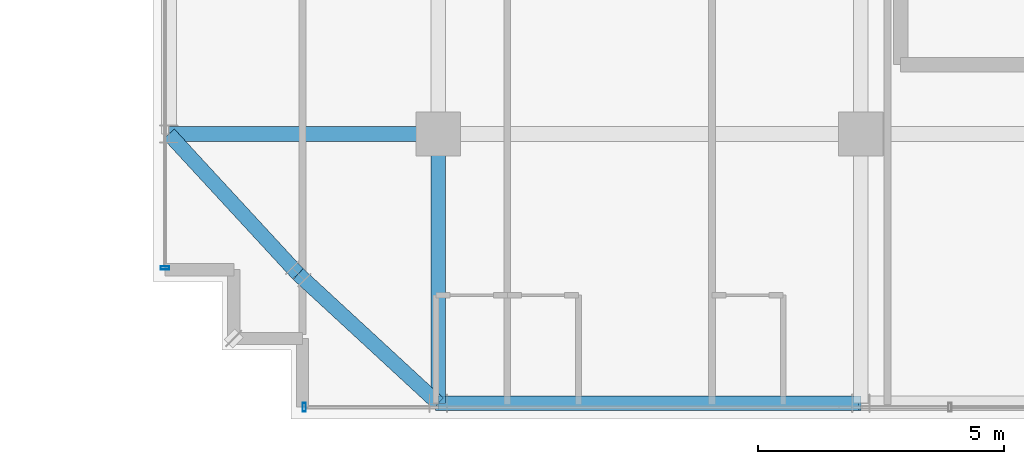
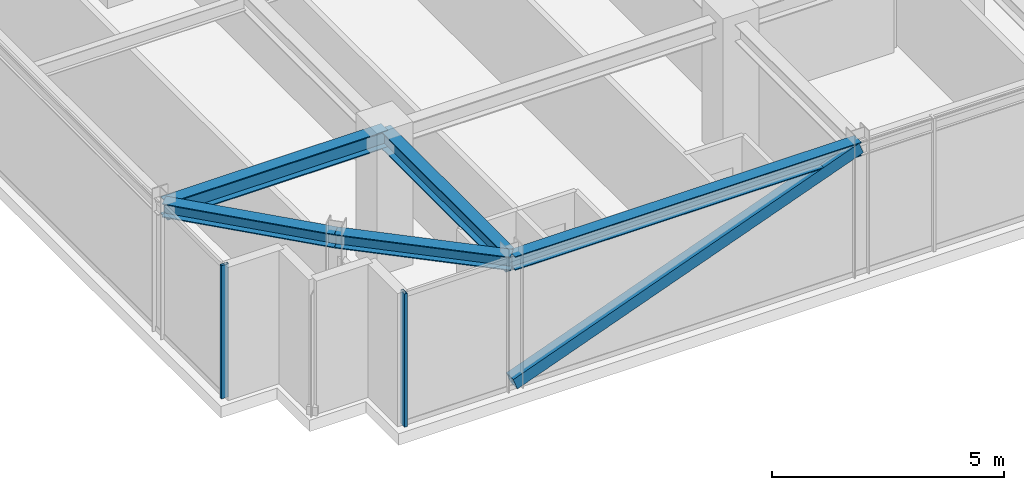
# One storey, part 4 of 36: 5 beams, 3 members, 2 elements without a shape of their own.
"""IFC4 building model written with IfcOpenShell, lengths in metres."""

import ifcopenshell
import ifcopenshell.guid

model = None  # the IFC model being written
_history = None  # IfcOwnerHistory: only IFC2X3 demands one
_inside = {}  # id of a spatial element -> (the spatial element, [elements in it])
_under = {}  # id of a project, library or spatial element -> (it, [spatial elements below it])
_declared = {}  # id of a project -> (the project, [libraries it declares])
_typed = {}  # id of a type object -> (the type object, [elements of that type])
_made_of = {}  # id of a material, layer set ... -> (it, [elements and type objects made of it])


def new_model(schema):
    """Start an empty IFC model of exactly this schema.

    Asked for "IFC4X3", IfcOpenShell would pick the latest addendum, in which some entities
    have other attributes; the version numbers below select the first issue.
    IFC2X3 requires an IfcOwnerHistory on every rooted entity: one is made here for all.
    """
    global model, _history
    if schema == "IFC4X3":
        model = ifcopenshell.file(schema_version=(4, 3, 0, 0))
    else:
        model = ifcopenshell.file(schema=schema)
    _inside.clear()
    _under.clear()
    _declared.clear()
    _typed.clear()
    _made_of.clear()
    _history = None
    if model.schema == "IFC2X3":
        org = make("IfcOrganization", Name="unknown")
        user = make(
            "IfcPersonAndOrganization",
            ThePerson=make("IfcPerson", FamilyName="unknown"),
            TheOrganization=org,
        )
        app = make(
            "IfcApplication",
            ApplicationDeveloper=org,
            Version="unknown",
            ApplicationFullName="unknown",
            ApplicationIdentifier="unknown",
        )
        _history = make(
            "IfcOwnerHistory",
            OwningUser=user,
            OwningApplication=app,
            ChangeAction="ADDED",
            CreationDate=0,
        )
    return model


def make(cls, **values):
    """One entity of the class cls with the attributes given. An attribute that is None is left unset."""
    return model.create_entity(
        cls, **{name: value for name, value in values.items() if value is not None}
    )


def rooted(cls, **values):
    """An entity with a GlobalId (a new one), such as an element, a storey or a relation."""
    return make(cls, GlobalId=ifcopenshell.guid.new(), OwnerHistory=_history, **values)


def si_unit(unit_type, name, prefix=None):
    """IfcSIUnit, for example si_unit("LENGTHUNIT", "METRE", prefix="MILLI")."""
    return make("IfcSIUnit", UnitType=unit_type, Prefix=prefix, Name=name)


def assignment(units):
    """IfcUnitAssignment: the units of a project."""
    return None if units is None else make("IfcUnitAssignment", Units=units)


def point(xyz):
    """IfcCartesianPoint."""
    return None if xyz is None else make("IfcCartesianPoint", Coordinates=xyz)


def direction(xyz):
    """IfcDirection."""
    return None if xyz is None else make("IfcDirection", DirectionRatios=xyz)


def frame(location, z_axis=None, x_axis=None):
    """IfcAxis2Placement3D, a coordinate frame: its origin and axes. An axis left out is left unset."""
    return make(
        "IfcAxis2Placement3D",
        Location=point(location),
        Axis=direction(z_axis),
        RefDirection=direction(x_axis),
    )


def frame_2d(location, x_axis=None):
    """IfcAxis2Placement2D, a coordinate frame in the plane: its origin and x axis."""
    return make(
        "IfcAxis2Placement2D", Location=point(location), RefDirection=direction(x_axis)
    )


def origin():
    """The frame at (0, 0, 0) with its axes left unset."""
    return frame((0.0, 0.0, 0.0))


def origin_2d():
    """The frame at (0, 0) in the plane with its x axis left unset."""
    return frame_2d((0.0, 0.0))


def place(relative_to, where):
    """IfcLocalPlacement: puts the frame where relative to a parent placement (None: the world)."""
    return make(
        "IfcLocalPlacement", PlacementRelTo=relative_to, RelativePlacement=where
    )


def context(
    kind, dimensions, precision=None, world=None, true_north=None, identifier=None
):
    """IfcGeometricRepresentationContext, for example the 3D "Model" context."""
    return make(
        "IfcGeometricRepresentationContext",
        ContextIdentifier=identifier,
        ContextType=kind,
        CoordinateSpaceDimension=dimensions,
        Precision=precision,
        WorldCoordinateSystem=world,
        TrueNorth=true_north,
    )


def subcontext(parent, identifier, kind, view, scale=None):
    """IfcGeometricRepresentationSubContext, for example "Body" below "Model"."""
    return make(
        "IfcGeometricRepresentationSubContext",
        ContextIdentifier=identifier,
        ContextType=kind,
        ParentContext=parent,
        TargetScale=scale,
        TargetView=view,
    )


def project(units=None, contexts=None):
    """IfcProject with its units and contexts."""
    return rooted(
        "IfcProject",
        Name="project",
        RepresentationContexts=contexts,
        UnitsInContext=assignment(units),
    )


def spatial(cls, under=None, at=None, **own):
    """A site, building, storey or space (cls), placed at a placement, below another one or the project."""
    s = rooted(cls, ObjectPlacement=at, **own)
    if under is not None:
        _under.setdefault(under.id(), (under, []))[1].append(s)
    return s


def profile(cls, at=None, kind="AREA", **sizes):
    """A parametric profile (cls). Its sizes go by their IFC names, for example OverallWidth=200.0."""
    return make(cls, ProfileType=kind, Position=at, **sizes)


def hollow_rectangle(**sizes):
    """IfcRectangleHollowProfileDef."""
    return profile("IfcRectangleHollowProfileDef", **sizes)


def i_section(**sizes):
    """IfcIShapeProfileDef."""
    return profile("IfcIShapeProfileDef", **sizes)


def extrude(swept, where, along, depth):
    """IfcExtrudedAreaSolid: the profile swept, set in the frame where, extruded along a direction by depth."""
    return make(
        "IfcExtrudedAreaSolid",
        SweptArea=swept,
        Position=where,
        ExtrudedDirection=direction(along),
        Depth=depth,
    )


def shape(context_of_items, identifier, shape_type, items):
    """IfcShapeRepresentation: the items that make up one representation, for example the "Body"."""
    return make(
        "IfcShapeRepresentation",
        ContextOfItems=context_of_items,
        RepresentationIdentifier=identifier,
        RepresentationType=shape_type,
        Items=items,
    )


def source(mapping_origin, context_of_items, identifier, shape_type, items):
    """IfcRepresentationMap: a shape defined once, which mapped items show again and again."""
    return make(
        "IfcRepresentationMap",
        MappingOrigin=mapping_origin,
        MappedRepresentation=shape(context_of_items, identifier, shape_type, items),
    )


def transform(
    local_origin,
    x_axis=None,
    y_axis=None,
    z_axis=None,
    scale=None,
    scale2=None,
    scale3=None,
    uniform=True,
):
    """IfcCartesianTransformationOperator3D, or its non-uniform kind. x_axis, y_axis, z_axis: its Axis1, 2, 3."""
    if uniform:
        return make(
            "IfcCartesianTransformationOperator3D",
            Axis1=direction(x_axis),
            Axis2=direction(y_axis),
            LocalOrigin=point(local_origin),
            Scale=scale,
            Axis3=direction(z_axis),
        )
    return make(
        "IfcCartesianTransformationOperator3DnonUniform",
        Axis1=direction(x_axis),
        Axis2=direction(y_axis),
        LocalOrigin=point(local_origin),
        Scale=scale,
        Axis3=direction(z_axis),
        Scale2=scale2,
        Scale3=scale3,
    )


def mapped(mapping_source, mapping_target):
    """IfcMappedItem: shows the shape of a source again, moved by a transform."""
    return make(
        "IfcMappedItem", MappingSource=mapping_source, MappingTarget=mapping_target
    )


def material(Name=None, Category=None):
    """IfcMaterial."""
    return make("IfcMaterial", Name=Name, Category=Category)


def material_profile(
    of_material, cross_section, Name=None, Category=None, Priority=None
):
    """IfcMaterialProfile: a cross section and its material."""
    return make(
        "IfcMaterialProfile",
        Name=Name,
        Material=of_material,
        Profile=cross_section,
        Priority=Priority,
        Category=Category,
    )


def profile_set(profiles, Name=None, composite=None):
    """IfcMaterialProfileSet."""
    return make(
        "IfcMaterialProfileSet",
        Name=Name,
        MaterialProfiles=profiles,
        CompositeProfile=composite,
    )


def made_of(thing, what):
    """Note that an element or type object is made of a material, layer set ...; save() writes the relation."""
    if what is not None:
        _made_of.setdefault(what.id(), (what, []))[1].append(thing)
    return thing


def type_object(cls, material=None, **own):
    """A type object (cls), such as IfcWallType, which elements share."""
    return made_of(rooted(cls, **own), material)


def element(
    cls,
    number,
    at=None,
    inside=None,
    cuts=None,
    type_object=None,
    material=None,
    context=None,
    identifier="Body",
    shape_type=None,
    held_by="IfcProductDefinitionShape",
    body=None,
    shapes=None,
    **own,
):
    """One element of the class cls, such as IfcWall. Its Tag is "e" and its number.

    at: its placement. inside: the storey or other place that contains it. cuts: it is an
    opening in that element (IfcRelVoidsElement). A single representation is given by context,
    identifier, shape_type and body (its items); several are given by shapes. held_by: the class
    of the entity that holds the representations. save() writes the other relations.
    """
    e = rooted(cls, Tag="e%d" % number, ObjectPlacement=at, **own)
    if body is not None:
        shapes = [shape(context, identifier, shape_type, body)]
    if shapes is not None:
        e.Representation = make(held_by, Representations=shapes)
    if inside is not None:
        _inside.setdefault(inside.id(), (inside, []))[1].append(e)
    if cuts is not None:
        rooted(
            "IfcRelVoidsElement", RelatingBuildingElement=cuts, RelatedOpeningElement=e
        )
    if type_object is not None:
        _typed.setdefault(type_object.id(), (type_object, []))[1].append(e)
    return made_of(e, material)


def aggregate(whole, parts):
    """IfcRelAggregates: a whole, such as a stair, and the parts it consists of."""
    return rooted("IfcRelAggregates", RelatingObject=whole, RelatedObjects=parts)


def save(model, path):
    """Write the relations noted so far, then the file.

    IfcRelAggregates (storeys below a building ...), IfcRelContainedInSpatialStructure (elements
    in a storey), IfcRelDefinesByType, IfcRelAssociatesMaterial and IfcRelDeclares: one each for
    every whole, place, type object, material and project.
    """
    for whole, parts in _under.values():
        aggregate(whole, parts)
    for where, things in _inside.values():
        rooted(
            "IfcRelContainedInSpatialStructure",
            RelatedElements=things,
            RelatingStructure=where,
        )
    for kind, things in _typed.values():
        rooted("IfcRelDefinesByType", RelatedObjects=things, RelatingType=kind)
    for what, things in _made_of.values():
        rooted("IfcRelAssociatesMaterial", RelatedObjects=things, RelatingMaterial=what)
    for by, libraries in _declared.values():
        rooted("IfcRelDeclares", RelatingContext=by, RelatedDefinitions=libraries)
    model.write(path)


model = new_model("IFC4")

# Units and contexts
model_context = context("Model", 3, precision=1e-05, world=origin(), true_north=direction((0.0, 1.0)))
body_context = subcontext(model_context, "Body", "Model", "MODEL_VIEW")
ifc_project = project(units=[si_unit("LENGTHUNIT", "METRE"), si_unit("AREAUNIT", "SQUARE_METRE"), si_unit("VOLUMEUNIT", "CUBIC_METRE"), si_unit("PLANEANGLEUNIT", "RADIAN"), si_unit("MASSUNIT", "GRAM", prefix="KILO")], contexts=[model_context])

# Site, building, storey
site_placement = place(None, origin())
site = spatial("IfcSite", under=ifc_project, at=site_placement, CompositionType="ELEMENT")
building_placement = place(site_placement, origin())
building = spatial("IfcBuilding", under=site, at=building_placement, Name="Nahalor Promenade Grand Hotel", CompositionType="ELEMENT")
storey_placement = place(building_placement, frame((0.0, 0.0, 319.550048828125)))
storey = spatial("IfcBuildingStorey", under=building, at=storey_placement, Name="L82", CompositionType="ELEMENT", Elevation=319.550048828125)

# Beams
ifc_material_1 = material(Name="Steel S355JR", Category="steel")
ifc_material_profile_1 = material_profile(ifc_material_1, i_section(OverallWidth=0.3, OverallDepth=0.45, WebThickness=0.014, FlangeThickness=0.026, at=origin_2d()), Name="HEB 450")
ifc_profile_set_1 = profile_set([ifc_material_profile_1], Name="Steel S355JR")
beam_type_1 = type_object("IfcBeamType", Name="Beam-Girder-HEB450", PredefinedType="BEAM", material=ifc_profile_set_1)
shared_shape_1 = source(origin(), body_context, "Body", "SweptSolid", [
    extrude(i_section(OverallWidth=0.3, OverallDepth=0.45, WebThickness=0.014, FlangeThickness=0.026, at=origin_2d()), origin(), (0.0, 0.0, 1.0), 5.47998046875),
])
for number, where, z_axis, x_axis, name in (
    (1, (-22.47998046875, -17.0, 3.27490234375), (1.0, 0.0, 0.0), (0.0, 1.0, 0.0), "BM-L82-GX-0-0"),
    (2, (-17.0, -22.47998046875, 3.27490234375), (0.0, 1.0, 0.0), (-1.0, 0.0, 0.0), "BM-L82-GY-0-0"),
):
    element("IfcBeam", number, at=place(storey_placement, frame(where, z_axis=z_axis, x_axis=x_axis)), inside=storey, type_object=beam_type_1, Name=name, PredefinedType="BEAM", context=body_context, shape_type="MappedRepresentation", body=[
        mapped(shared_shape_1, transform((0.0, 0.0, 0.0), scale=1.0)),
    ])
ifc_material_profile_2 = material_profile(ifc_material_1, i_section(OverallWidth=0.3, OverallDepth=0.36, WebThickness=0.0125, FlangeThickness=0.0225, at=origin_2d()), Name="HEB 360")
ifc_profile_set_2 = profile_set([ifc_material_profile_2], Name="Steel S355JR")
beam_type_2 = type_object("IfcBeamType", Name="Beam-Spandrel-HEB360", PredefinedType="SPANDREL", material=ifc_profile_set_2)
shared_shape_2 = source(origin(), body_context, "Body", "SweptSolid", [
    extrude(i_section(OverallWidth=0.3, OverallDepth=0.36, WebThickness=0.0125, FlangeThickness=0.0225, at=origin_2d()), origin(), (0.0, 0.0, 1.0), 8.60009765625),
])
beam_placement = place(storey_placement, frame((-17.0, -22.47998046875, 3.320068359375), z_axis=(1.0, 0.0, 0.0), x_axis=(0.0, 1.0, 0.0)))
element("IfcBeam", 3, at=beam_placement, inside=storey, type_object=beam_type_2, Name="BM-L82-SP-S-0", PredefinedType="SPANDREL", context=body_context, shape_type="MappedRepresentation", body=[
    mapped(shared_shape_2, transform((0.0, 0.0, 0.0), scale=1.0)),
])
shared_shape_3 = source(origin(), body_context, "Body", "SweptSolid", [
    extrude(i_section(OverallWidth=0.3, OverallDepth=0.36, WebThickness=0.0125, FlangeThickness=0.0225, at=origin_2d()), origin(), (0.0, 0.0, 1.0), 3.878173828125),
])
for number, where, z_axis, x_axis, name in (
    (4, (-17.0, -22.47998046875, 3.320068359375), (-0.73492893846, 0.678144125843, 0.0), (-0.678144125843, -0.73492893846, 0.0), "BM-L82-SPC-SW-1"),
    (5, (-19.85009765625, -19.85009765625, 3.320068359375), (-0.678144125843, 0.73492893846, 0.0), (-0.73492893846, -0.678144125843, 0.0), "BM-L82-SPC-SW-2"),
):
    element("IfcBeam", number, at=place(storey_placement, frame(where, z_axis=z_axis, x_axis=x_axis)), inside=storey, type_object=beam_type_2, Name=name, PredefinedType="SPANDREL", context=body_context, shape_type="MappedRepresentation", body=[
        mapped(shared_shape_3, transform((0.0, 0.0, 0.0), scale=1.0)),
    ])

# Member
ifc_material_profile_3 = material_profile(ifc_material_1, hollow_rectangle(XDim=0.3, YDim=0.3, WallThickness=0.016, at=origin_2d()), Name="SHS 300x300x16")
ifc_profile_set_3 = profile_set([ifc_material_profile_3], Name="Steel S355JR")
member_type_1 = type_object("IfcMemberType", Name="Mem-CrownBrace-SHS300", PredefinedType="BRACE", material=ifc_profile_set_3)
shared_shape_4 = source(origin(), body_context, "Body", "SweptSolid", [
    extrude(hollow_rectangle(XDim=0.3, YDim=0.3, WallThickness=0.016, at=origin_2d()), origin(), (0.0, 0.0, 1.0), 9.176025390625),
])
member_1_placement = place(storey_placement, frame((-17.0, -22.47998046875, 0.14990234375), z_axis=(0.937224884492, 0.0, 0.348725559559), x_axis=(0.0, 1.0, 0.0)))
element("IfcMember", 6, at=member_1_placement, inside=storey, type_object=member_type_1, Name="EXO-L82-S-0", PredefinedType="BRACE", context=body_context, shape_type="MappedRepresentation", body=[
    mapped(shared_shape_4, transform((0.0, 0.0, 0.0), scale=1.0)),
])

# Curtain wall, member
ifc_material_2 = material(Name="Anodised Bronze Aluminium EN AW-6063 T6", Category="aluminium")
curtain_wall_type = type_object("IfcCurtainWallType", Name="CW2 Typical Hotel Flush Bronze Unitised Curtain Wall", PredefinedType="USERDEFINED", material=ifc_material_2)
curtain_wall_1_placement = place(storey_placement, origin())
curtain_wall_1 = element("IfcCurtainWall", 7, at=curtain_wall_1_placement, inside=storey, type_object=curtain_wall_type, Name="L82 Curtain Wall CW-L82-S-1", ObjectType="UNITISED_CURTAIN_WALL", PredefinedType="USERDEFINED")
ifc_material_profile_4 = material_profile(ifc_material_2, hollow_rectangle(XDim=0.065, YDim=0.18, WallThickness=0.004, at=origin_2d()), Name="CWM 65x180x4")
ifc_profile_set_4 = profile_set([ifc_material_profile_4], Name="Anodised Bronze Aluminium EN AW-6063 T6")
member_type_2 = type_object("IfcMemberType", Name="CWM2 Typical Bronze Mullion 65x180", PredefinedType="MULLION", material=ifc_profile_set_4)
shared_shape_5 = source(origin(), body_context, "Body", "SweptSolid", [
    extrude(hollow_rectangle(XDim=0.065, YDim=0.18, WallThickness=0.004, at=origin_2d()), origin(), (0.0, 0.0, 1.0), 3.5),
])
member_2_placement = place(storey_placement, frame((-19.7275390625, -22.56005859375, 0.0), z_axis=(0.0, 0.0, 1.0), x_axis=(1.0, 0.0, 0.0)))
member_2 = element("IfcMember", 8, at=member_2_placement, type_object=member_type_2, Name="CW-L82-S-1 Mullion 0", PredefinedType="MULLION", context=body_context, shape_type="MappedRepresentation", body=[
    mapped(shared_shape_5, transform((0.0, 0.0, 0.0), scale=1.0)),
])
aggregate(curtain_wall_1, [member_2])

curtain_wall_2_placement = place(storey_placement, origin())
curtain_wall_2 = element("IfcCurtainWall", 9, at=curtain_wall_2_placement, inside=storey, type_object=curtain_wall_type, Name="L82 Curtain Wall CW-L82-W-1", ObjectType="UNITISED_CURTAIN_WALL", PredefinedType="USERDEFINED")
member_3_placement = place(storey_placement, frame((-22.56005859375, -19.7275390625, 0.0), z_axis=(0.0, 0.0, 1.0), x_axis=(0.0, 1.0, 0.0)))
member_3 = element("IfcMember", 10, at=member_3_placement, type_object=member_type_2, Name="CW-L82-W-1 Mullion 0", PredefinedType="MULLION", context=body_context, shape_type="MappedRepresentation", body=[
    mapped(shared_shape_5, transform((0.0, 0.0, 0.0), scale=1.0)),
])
aggregate(curtain_wall_2, [member_3])

save(model, "model.ifc")
